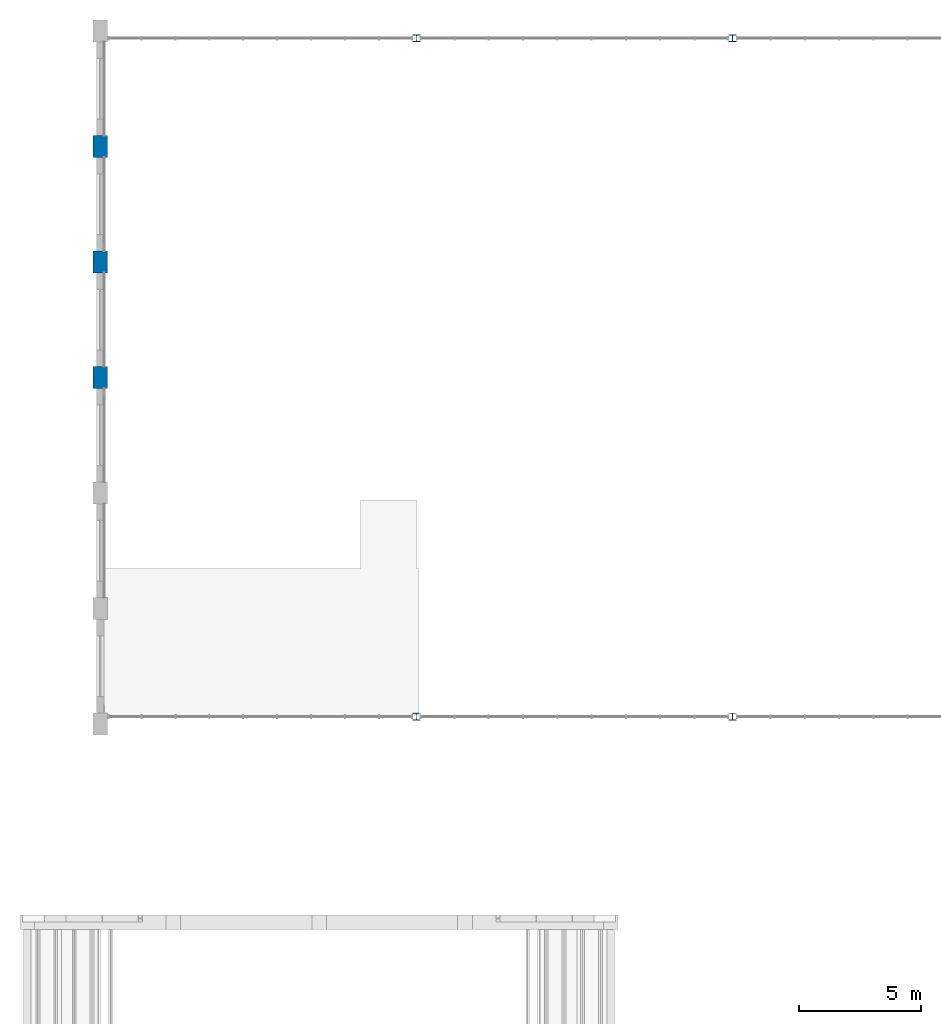
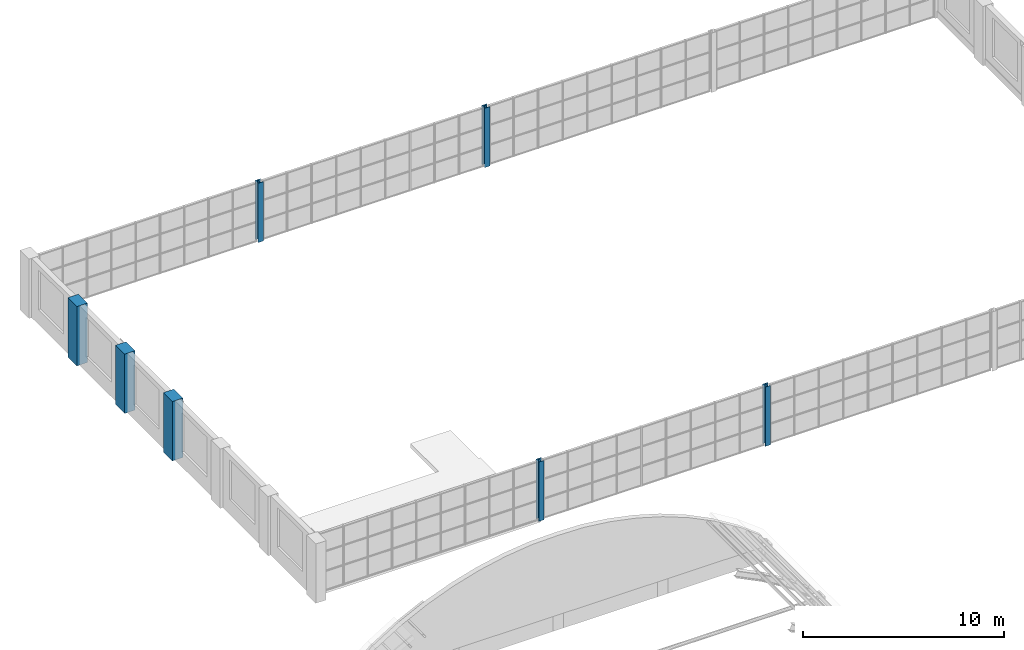
# One storey, part 2 of 70: 7 columns.
"""IFC4 building model written with IfcOpenShell, lengths in metres."""

from ifc_helpers import new_model, si_unit, direction, frame, origin, origin_2d, place, context, subcontext, project, spatial, rectangle, i_section, extrude, material, material_profile, profile_set, type_object, element, save


model = new_model("IFC4")

# Units and contexts
model_context = context("Model", 3, precision=1e-05, world=origin(), true_north=direction((0.0, 1.0)))
body_context = subcontext(model_context, "Body", "Model", "MODEL_VIEW")
ifc_project = project(units=[si_unit("LENGTHUNIT", "METRE"), si_unit("AREAUNIT", "SQUARE_METRE"), si_unit("VOLUMEUNIT", "CUBIC_METRE"), si_unit("PLANEANGLEUNIT", "RADIAN"), si_unit("MASSUNIT", "GRAM", prefix="KILO")], contexts=[model_context])

# Site, building, storey
site_placement = place(None, origin())
site = spatial("IfcSite", under=ifc_project, at=site_placement, CompositionType="ELEMENT")
building_placement = place(site_placement, origin())
building = spatial("IfcBuilding", under=site, at=building_placement, Name="Elbe Cascade School", CompositionType="ELEMENT")
storey_placement = place(building_placement, frame((0.0, 0.0, 8.10009765625)))
storey = spatial("IfcBuildingStorey", under=building, at=storey_placement, Name="L02", CompositionType="ELEMENT", Elevation=8.10009765625)

# Columns
ifc_material_1 = material(Name="Steel S355J2", Category="steel")
ifc_material_profile_1 = material_profile(ifc_material_1, i_section(OverallWidth=0.300048828125, OverallDepth=0.300048828125, WebThickness=0.010986328125, FlangeThickness=0.01904296875, FilletRadius=0.027099609375, at=origin_2d()), Name="HEB 300")
ifc_profile_set_1 = profile_set([ifc_material_profile_1], Name="Steel S355J2")
column_type_1 = type_object("IfcColumnType", Name="Hall gable post HEB 300", PredefinedType="COLUMN", material=ifc_profile_set_1)
for number, where, z_axis, x_axis, name in (
    (1, (21.0, 41.300048828125, 0.0), (0.0, 0.0, 1.0), (1.0, 0.0, 0.0), "Gable post S21"),
    (2, (34.0, 41.300048828125, 0.0), (0.0, 0.0, 1.0), (1.0, 0.0, 0.0), "Gable post S34"),
    (3, (21.0, 69.199951171875, 0.0), (0.0, 0.0, 1.0), (1.0, 0.0, 0.0), "Gable post N21"),
    (4, (34.0, 69.199951171875, 0.0), (0.0, 0.0, 1.0), (1.0, 0.0, 0.0), "Gable post N34"),
):
    element("IfcColumn", number, at=place(storey_placement, frame(where, z_axis=z_axis, x_axis=x_axis)), inside=storey, type_object=column_type_1, Name=name, PredefinedType="COLUMN", context=body_context, shape_type="SweptSolid", body=[
        extrude(i_section(OverallWidth=0.300048828125, OverallDepth=0.300048828125, WebThickness=0.010986328125, FlangeThickness=0.01904296875, FilletRadius=0.027099609375, at=origin_2d()), origin(), (0.0, 0.0, 1.0), 3.599853515625),
    ])
ifc_material_2 = material(Name="Concrete C30/37", Category="concrete")
ifc_material_profile_2 = material_profile(ifc_material_2, rectangle(XDim=0.60009765625, YDim=0.89990234375, at=origin_2d()), Name="RC 600x900")
ifc_profile_set_2 = profile_set([ifc_material_profile_2], Name="Concrete C30/37")
column_type_2 = type_object("IfcColumnType", Name="Hall pilaster RC 600x900", PredefinedType="COLUMN", material=ifc_profile_set_2)
for number, where, z_axis, x_axis, name in (
    (5, (8.0, 55.25, 0.0), (0.0, 0.0, 1.0), (1.0, 0.0, 0.0), "Pilaster W4"),
    (6, (8.0, 60.0, 0.0), (0.0, 0.0, 1.0), (1.0, 0.0, 0.0), "Pilaster W5"),
    (7, (8.0, 64.75, 0.0), (0.0, 0.0, 1.0), (1.0, 0.0, 0.0), "Pilaster W6"),
):
    element("IfcColumn", number, at=place(storey_placement, frame(where, z_axis=z_axis, x_axis=x_axis)), inside=storey, type_object=column_type_2, Name=name, PredefinedType="COLUMN", context=body_context, shape_type="SweptSolid", body=[
        extrude(rectangle(XDim=0.60009765625, YDim=0.89990234375, at=origin_2d()), origin(), (0.0, 0.0, 1.0), 3.599853515625),
    ])

save(model, "model.ifc")
